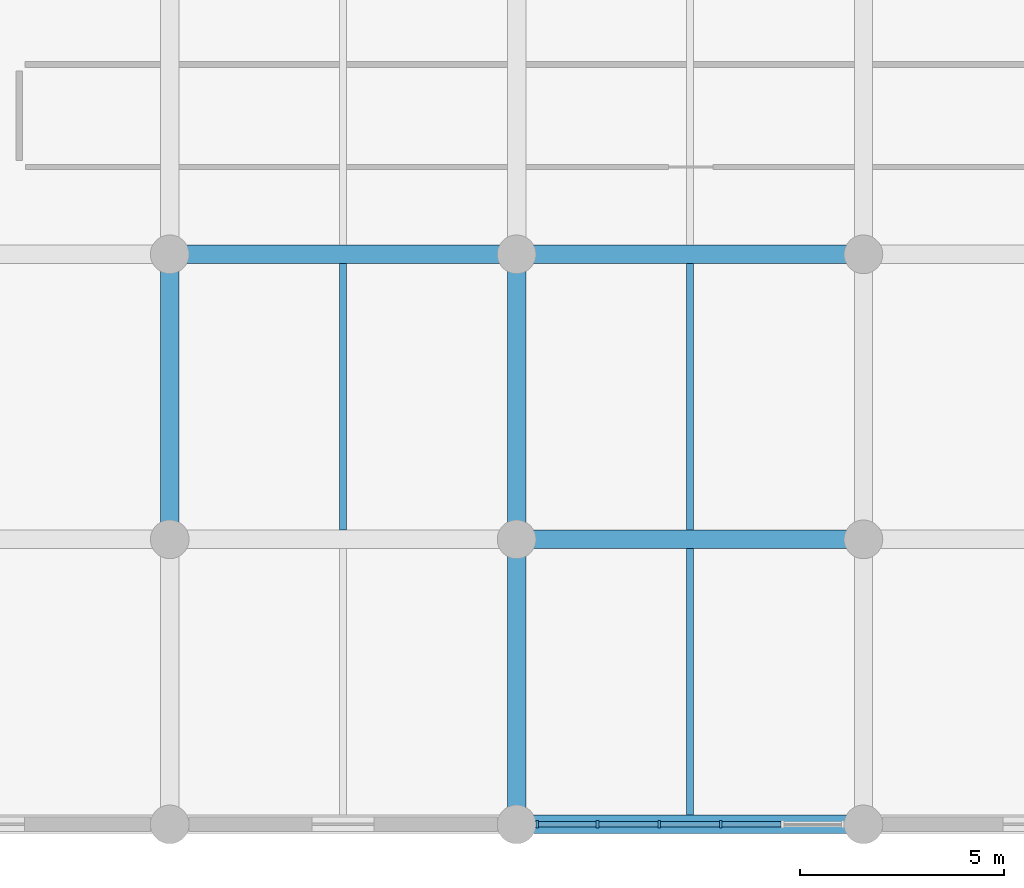
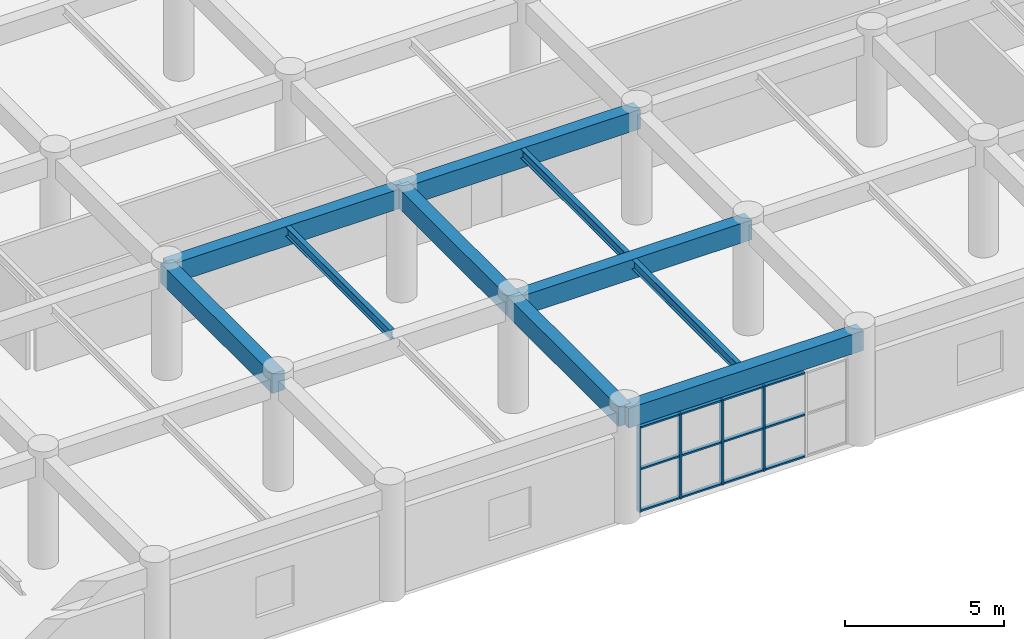
# One storey, part 11 of 141: 16 members, 10 beams, 1 element without a shape of its own.
"""IFC4 building model written with IfcOpenShell, lengths in metres."""

from ifc_helpers import new_model, si_unit, direction, frame, origin, origin_2d, place, context, subcontext, project, spatial, rectangle, i_section, extrude, material, layer, layer_set, material_profile, profile_set, type_object, element, aggregate, save


model = new_model("IFC4")

# Units and contexts
model_context = context("Model", 3, precision=1e-05, world=origin(), true_north=direction((0.0, 1.0)))
body_context = subcontext(model_context, "Body", "Model", "MODEL_VIEW")
ifc_project = project(units=[si_unit("LENGTHUNIT", "METRE"), si_unit("AREAUNIT", "SQUARE_METRE"), si_unit("VOLUMEUNIT", "CUBIC_METRE"), si_unit("PLANEANGLEUNIT", "RADIAN"), si_unit("MASSUNIT", "GRAM", prefix="KILO")], contexts=[model_context])

# Site, building, storey
site_placement = place(None, origin())
site = spatial("IfcSite", under=ifc_project, at=site_placement, CompositionType="ELEMENT")
building_placement = place(site_placement, origin())
building = spatial("IfcBuilding", under=site, at=building_placement, Name="Mphavela Belvedere Stadium", CompositionType="ELEMENT")
storey_placement = place(building_placement, frame((0.0, 0.0, 14.699951171875)))
storey = spatial("IfcBuildingStorey", under=building, at=storey_placement, Name="L03", CompositionType="ELEMENT", Elevation=14.699951171875)

# Beams
ifc_material_1 = material(Name="Steel S355", Category="steel")
ifc_material_profile_1 = material_profile(ifc_material_1, i_section(OverallWidth=0.169921875, OverallDepth=0.360107421875, WebThickness=0.008056640625, FlangeThickness=0.0126953125, at=origin_2d()), Name="IPE 360")
ifc_profile_set_1 = profile_set([ifc_material_profile_1], Name="Steel S355")
beam_type_1 = type_object("IfcBeamType", Name="BM-JOIST-IPE360", PredefinedType="JOIST", material=ifc_profile_set_1)
for number, where, z_axis, x_axis, name in (
    (1, (21.29638671875, 7.22509765625, 4.06005859375), (0.0, 1.0, 0.0), (-1.0, 0.0, 0.0), "South Axial Triumphal Peristyle Portico secondary joist L03 3-2"),
    (2, (29.81494140625, 0.22509765625, 4.06005859375), (0.0, 1.0, 0.0), (-1.0, 0.0, 0.0), "South Axial Triumphal Peristyle Portico secondary joist L03 4-1"),
    (3, (29.81494140625, 7.22509765625, 4.06005859375), (0.0, 1.0, 0.0), (-1.0, 0.0, 0.0), "South Axial Triumphal Peristyle Portico secondary joist L03 4-2"),
):
    element("IfcBeam", number, at=place(storey_placement, frame(where, z_axis=z_axis, x_axis=x_axis)), inside=storey, type_object=beam_type_1, Name=name, PredefinedType="JOIST", context=body_context, shape_type="SweptSolid", body=[
        extrude(i_section(OverallWidth=0.169921875, OverallDepth=0.360107421875, WebThickness=0.008056640625, FlangeThickness=0.0126953125, at=origin_2d()), origin(), (0.0, 0.0, 1.0), 6.5498046875),
    ])
ifc_material_2 = material(Name="Concrete C40/50", Category="concrete")
ifc_material_profile_2 = material_profile(ifc_material_2, rectangle(XDim=0.449951171875, YDim=0.75, at=origin_2d()), Name="RC 450x750")
ifc_profile_set_2 = profile_set([ifc_material_profile_2], Name="Concrete C40/50")
beam_type_2 = type_object("IfcBeamType", Name="BM-RC450x750", PredefinedType="BEAM", material=ifc_profile_set_2)
beam_1_placement = place(storey_placement, frame((17.037109375, 7.0, 3.864990234375), z_axis=(0.0, 1.0, 0.0), x_axis=(-1.0, 0.0, 0.0)))
element("IfcBeam", 4, at=beam_1_placement, inside=storey, type_object=beam_type_2, Name="South Axial Triumphal Peristyle Portico entablature beam Y L03 3-2", PredefinedType="BEAM", context=body_context, shape_type="SweptSolid", body=[
    extrude(rectangle(XDim=0.449951171875, YDim=0.75, at=origin_2d()), origin(), (0.0, 0.0, 1.0), 7.0),
])
beam_2_placement = place(storey_placement, frame((17.037109375, 14.0, 3.864990234375), z_axis=(1.0, 0.0, 0.0), x_axis=(0.0, 1.0, 0.0)))
element("IfcBeam", 5, at=beam_2_placement, inside=storey, type_object=beam_type_2, Name="South Axial Triumphal Peristyle Portico entablature beam X L03 3-3", PredefinedType="BEAM", context=body_context, shape_type="SweptSolid", body=[
    extrude(rectangle(XDim=0.449951171875, YDim=0.75, at=origin_2d()), origin(), (0.0, 0.0, 1.0), 8.518798828125),
])
beam_3_placement = place(storey_placement, frame((25.555908203125, 0.0, 3.864990234375), z_axis=(1.0, 0.0, 0.0), x_axis=(0.0, 1.0, 0.0)))
element("IfcBeam", 6, at=beam_3_placement, inside=storey, type_object=beam_type_2, Name="South Axial Triumphal Peristyle Portico entablature beam X L03 4-1", PredefinedType="BEAM", context=body_context, shape_type="SweptSolid", body=[
    extrude(rectangle(XDim=0.449951171875, YDim=0.75, at=origin_2d()), origin(), (0.0, 0.0, 1.0), 8.51806640625),
])
beam_4_placement = place(storey_placement, frame((25.555908203125, 0.0, 3.864990234375), z_axis=(0.0, 1.0, 0.0), x_axis=(-1.0, 0.0, 0.0)))
element("IfcBeam", 7, at=beam_4_placement, inside=storey, type_object=beam_type_2, Name="South Axial Triumphal Peristyle Portico entablature beam Y L03 4-1", PredefinedType="BEAM", context=body_context, shape_type="SweptSolid", body=[
    extrude(rectangle(XDim=0.449951171875, YDim=0.75, at=origin_2d()), origin(), (0.0, 0.0, 1.0), 7.0),
])
beam_5_placement = place(storey_placement, frame((25.555908203125, 7.0, 3.864990234375), z_axis=(1.0, 0.0, 0.0), x_axis=(0.0, 1.0, 0.0)))
element("IfcBeam", 8, at=beam_5_placement, inside=storey, type_object=beam_type_2, Name="South Axial Triumphal Peristyle Portico entablature beam X L03 4-2", PredefinedType="BEAM", context=body_context, shape_type="SweptSolid", body=[
    extrude(rectangle(XDim=0.449951171875, YDim=0.75, at=origin_2d()), origin(), (0.0, 0.0, 1.0), 8.51806640625),
])
beam_6_placement = place(storey_placement, frame((25.555908203125, 7.0, 3.864990234375), z_axis=(0.0, 1.0, 0.0), x_axis=(-1.0, 0.0, 0.0)))
element("IfcBeam", 9, at=beam_6_placement, inside=storey, type_object=beam_type_2, Name="South Axial Triumphal Peristyle Portico entablature beam Y L03 4-2", PredefinedType="BEAM", context=body_context, shape_type="SweptSolid", body=[
    extrude(rectangle(XDim=0.449951171875, YDim=0.75, at=origin_2d()), origin(), (0.0, 0.0, 1.0), 7.0),
])
beam_7_placement = place(storey_placement, frame((25.555908203125, 14.0, 3.864990234375), z_axis=(1.0, 0.0, 0.0), x_axis=(0.0, 1.0, 0.0)))
element("IfcBeam", 10, at=beam_7_placement, inside=storey, type_object=beam_type_2, Name="South Axial Triumphal Peristyle Portico entablature beam X L03 4-3", PredefinedType="BEAM", context=body_context, shape_type="SweptSolid", body=[
    extrude(rectangle(XDim=0.449951171875, YDim=0.75, at=origin_2d()), origin(), (0.0, 0.0, 1.0), 8.51806640625),
])

# Curtain wall, members
ifc_material_3 = material(Name="Anodised bronze unitised curtain wall framing")
ifc_layer = layer(ifc_material_3, 0.199951171875)
ifc_layer_set = layer_set([ifc_layer], Name="Anodised bronze unitised curtain wall framing")
curtain_wall_type = type_object("IfcCurtainWallType", Name="CW-UNIT-05", PredefinedType="USERDEFINED", material=ifc_layer_set)
curtain_wall_placement = place(storey_placement, origin())
curtain_wall = element("IfcCurtainWall", 11, at=curtain_wall_placement, inside=storey, type_object=curtain_wall_type, Name="South Axial Triumphal Peristyle Portico gallery curtain wall L03-04", ObjectType="UNITISED CURTAIN WALL", PredefinedType="USERDEFINED")
ifc_material_4 = material(Name="Anodised bronze extruded aluminium", Category="aluminium")
ifc_material_profile_3 = material_profile(ifc_material_4, rectangle(XDim=0.179931640625, YDim=0.06494140625, at=origin_2d()), Name="CW-MUL 180x65")
ifc_profile_set_3 = profile_set([ifc_material_profile_3], Name="Anodised bronze extruded aluminium")
member_type_1 = type_object("IfcMemberType", Name="CWM-180x65", PredefinedType="MULLION", material=ifc_profile_set_3)
member_1_placement = place(storey_placement, frame((30.572265625, 0.0, 0.0), z_axis=(0.0, 0.0, 1.0), x_axis=(0.0, -1.0, 0.0)))
member_1 = element("IfcMember", 12, at=member_1_placement, type_object=member_type_1, Name="CW-05 mullion 3", PredefinedType="MULLION", context=body_context, shape_type="SweptSolid", body=[
    extrude(rectangle(XDim=0.179931640625, YDim=0.06494140625, at=origin_2d()), origin(), (0.0, 0.0, 1.0), 3.260009765625),
])
member_2_placement = place(storey_placement, frame((29.057861328125, 0.0, 0.0), z_axis=(0.0, 0.0, 1.0), x_axis=(0.0, -1.0, 0.0)))
member_2 = element("IfcMember", 13, at=member_2_placement, type_object=member_type_1, Name="CW-05 mullion 4", PredefinedType="MULLION", context=body_context, shape_type="SweptSolid", body=[
    extrude(rectangle(XDim=0.179931640625, YDim=0.06494140625, at=origin_2d()), origin(), (0.0, 0.0, 1.0), 3.260009765625),
])
member_3_placement = place(storey_placement, frame((27.54345703125, 0.0, 0.0), z_axis=(0.0, 0.0, 1.0), x_axis=(0.0, -1.0, 0.0)))
member_3 = element("IfcMember", 14, at=member_3_placement, type_object=member_type_1, Name="CW-05 mullion 5", PredefinedType="MULLION", context=body_context, shape_type="SweptSolid", body=[
    extrude(rectangle(XDim=0.179931640625, YDim=0.06494140625, at=origin_2d()), origin(), (0.0, 0.0, 1.0), 3.260009765625),
])
member_4_placement = place(storey_placement, frame((26.0615234375, 0.0, 0.0), z_axis=(0.0, 0.0, 1.0), x_axis=(0.0, -1.0, 0.0)))
member_4 = element("IfcMember", 15, at=member_4_placement, type_object=member_type_1, Name="CW-05 mullion 6", PredefinedType="MULLION", context=body_context, shape_type="SweptSolid", body=[
    extrude(rectangle(XDim=0.179931640625, YDim=0.06494140625, at=origin_2d()), origin(), (0.0, 0.0, 1.0), 3.260009765625),
])
ifc_material_5 = material(Name="Anodised bronze extruded aluminium", Category="aluminium")
ifc_material_profile_4 = material_profile(ifc_material_5, rectangle(XDim=0.139892578125, YDim=0.06005859375, at=origin_2d()), Name="CW-TRN 140x60")
ifc_profile_set_4 = profile_set([ifc_material_profile_4], Name="Anodised bronze extruded aluminium")
member_type_2 = type_object("IfcMemberType", Name="CWT-140x60", PredefinedType="USERDEFINED", material=ifc_profile_set_4)
member_5_placement = place(storey_placement, frame((32.05419921875, 0.0, 0.030029296875), z_axis=(-1.0, 0.0, 0.0), x_axis=(0.0, -1.0, 0.0)))
member_5 = element("IfcMember", 16, at=member_5_placement, type_object=member_type_2, Name="CW-05 transom 2.1", ObjectType="TRANSOM", PredefinedType="USERDEFINED", context=body_context, shape_type="SweptSolid", body=[
    extrude(rectangle(XDim=0.139892578125, YDim=0.06005859375, at=origin_2d()), origin(), (0.0, 0.0, 1.0), 1.449462890625),
])
member_6_placement = place(storey_placement, frame((32.05419921875, 0.0, 1.630126953125), z_axis=(-1.0, 0.0, 0.0), x_axis=(0.0, -1.0, 0.0)))
member_6 = element("IfcMember", 17, at=member_6_placement, type_object=member_type_2, Name="CW-05 transom 2.2", ObjectType="TRANSOM", PredefinedType="USERDEFINED", context=body_context, shape_type="SweptSolid", body=[
    extrude(rectangle(XDim=0.139892578125, YDim=0.06005859375, at=origin_2d()), origin(), (0.0, 0.0, 1.0), 1.449462890625),
])
member_7_placement = place(storey_placement, frame((32.05419921875, 0.0, 3.22998046875), z_axis=(-1.0, 0.0, 0.0), x_axis=(0.0, -1.0, 0.0)))
member_7 = element("IfcMember", 18, at=member_7_placement, type_object=member_type_2, Name="CW-05 transom 2.3", ObjectType="TRANSOM", PredefinedType="USERDEFINED", context=body_context, shape_type="SweptSolid", body=[
    extrude(rectangle(XDim=0.139892578125, YDim=0.06005859375, at=origin_2d()), origin(), (0.0, 0.0, 1.0), 1.449462890625),
])
member_8_placement = place(storey_placement, frame((30.539794921875, 0.0, 0.030029296875), z_axis=(-1.0, 0.0, 0.0), x_axis=(0.0, -1.0, 0.0)))
member_8 = element("IfcMember", 19, at=member_8_placement, type_object=member_type_2, Name="CW-05 transom 3.1", ObjectType="TRANSOM", PredefinedType="USERDEFINED", context=body_context, shape_type="SweptSolid", body=[
    extrude(rectangle(XDim=0.139892578125, YDim=0.06005859375, at=origin_2d()), origin(), (0.0, 0.0, 1.0), 1.449462890625),
])
member_9_placement = place(storey_placement, frame((30.539794921875, 0.0, 1.630126953125), z_axis=(-1.0, 0.0, 0.0), x_axis=(0.0, -1.0, 0.0)))
member_9 = element("IfcMember", 20, at=member_9_placement, type_object=member_type_2, Name="CW-05 transom 3.2", ObjectType="TRANSOM", PredefinedType="USERDEFINED", context=body_context, shape_type="SweptSolid", body=[
    extrude(rectangle(XDim=0.139892578125, YDim=0.06005859375, at=origin_2d()), origin(), (0.0, 0.0, 1.0), 1.449462890625),
])
member_10_placement = place(storey_placement, frame((30.539794921875, 0.0, 3.22998046875), z_axis=(-1.0, 0.0, 0.0), x_axis=(0.0, -1.0, 0.0)))
member_10 = element("IfcMember", 21, at=member_10_placement, type_object=member_type_2, Name="CW-05 transom 3.3", ObjectType="TRANSOM", PredefinedType="USERDEFINED", context=body_context, shape_type="SweptSolid", body=[
    extrude(rectangle(XDim=0.139892578125, YDim=0.06005859375, at=origin_2d()), origin(), (0.0, 0.0, 1.0), 1.449462890625),
])
member_11_placement = place(storey_placement, frame((29.025390625, 0.0, 0.030029296875), z_axis=(-1.0, 0.0, 0.0), x_axis=(0.0, -1.0, 0.0)))
member_11 = element("IfcMember", 22, at=member_11_placement, type_object=member_type_2, Name="CW-05 transom 4.1", ObjectType="TRANSOM", PredefinedType="USERDEFINED", context=body_context, shape_type="SweptSolid", body=[
    extrude(rectangle(XDim=0.139892578125, YDim=0.06005859375, at=origin_2d()), origin(), (0.0, 0.0, 1.0), 1.449462890625),
])
member_12_placement = place(storey_placement, frame((29.025390625, 0.0, 1.630126953125), z_axis=(-1.0, 0.0, 0.0), x_axis=(0.0, -1.0, 0.0)))
member_12 = element("IfcMember", 23, at=member_12_placement, type_object=member_type_2, Name="CW-05 transom 4.2", ObjectType="TRANSOM", PredefinedType="USERDEFINED", context=body_context, shape_type="SweptSolid", body=[
    extrude(rectangle(XDim=0.139892578125, YDim=0.06005859375, at=origin_2d()), origin(), (0.0, 0.0, 1.0), 1.449462890625),
])
member_13_placement = place(storey_placement, frame((29.025390625, 0.0, 3.22998046875), z_axis=(-1.0, 0.0, 0.0), x_axis=(0.0, -1.0, 0.0)))
member_13 = element("IfcMember", 24, at=member_13_placement, type_object=member_type_2, Name="CW-05 transom 4.3", ObjectType="TRANSOM", PredefinedType="USERDEFINED", context=body_context, shape_type="SweptSolid", body=[
    extrude(rectangle(XDim=0.139892578125, YDim=0.06005859375, at=origin_2d()), origin(), (0.0, 0.0, 1.0), 1.449462890625),
])
member_14_placement = place(storey_placement, frame((27.510986328125, 0.0, 0.030029296875), z_axis=(-1.0, 0.0, 0.0), x_axis=(0.0, -1.0, 0.0)))
member_14 = element("IfcMember", 25, at=member_14_placement, type_object=member_type_2, Name="CW-05 transom 5.1", ObjectType="TRANSOM", PredefinedType="USERDEFINED", context=body_context, shape_type="SweptSolid", body=[
    extrude(rectangle(XDim=0.139892578125, YDim=0.06005859375, at=origin_2d()), origin(), (0.0, 0.0, 1.0), 1.4169921875),
])
member_15_placement = place(storey_placement, frame((27.510986328125, 0.0, 1.630126953125), z_axis=(-1.0, 0.0, 0.0), x_axis=(0.0, -1.0, 0.0)))
member_15 = element("IfcMember", 26, at=member_15_placement, type_object=member_type_2, Name="CW-05 transom 5.2", ObjectType="TRANSOM", PredefinedType="USERDEFINED", context=body_context, shape_type="SweptSolid", body=[
    extrude(rectangle(XDim=0.139892578125, YDim=0.06005859375, at=origin_2d()), origin(), (0.0, 0.0, 1.0), 1.4169921875),
])
member_16_placement = place(storey_placement, frame((27.510986328125, 0.0, 3.22998046875), z_axis=(-1.0, 0.0, 0.0), x_axis=(0.0, -1.0, 0.0)))
member_16 = element("IfcMember", 27, at=member_16_placement, type_object=member_type_2, Name="CW-05 transom 5.3", ObjectType="TRANSOM", PredefinedType="USERDEFINED", context=body_context, shape_type="SweptSolid", body=[
    extrude(rectangle(XDim=0.139892578125, YDim=0.06005859375, at=origin_2d()), origin(), (0.0, 0.0, 1.0), 1.4169921875),
])
aggregate(curtain_wall, [member_1, member_2, member_3, member_4, member_5, member_6, member_7, member_8, member_9, member_10, member_11, member_12, member_13, member_14, member_15, member_16])

save(model, "model.ifc")
